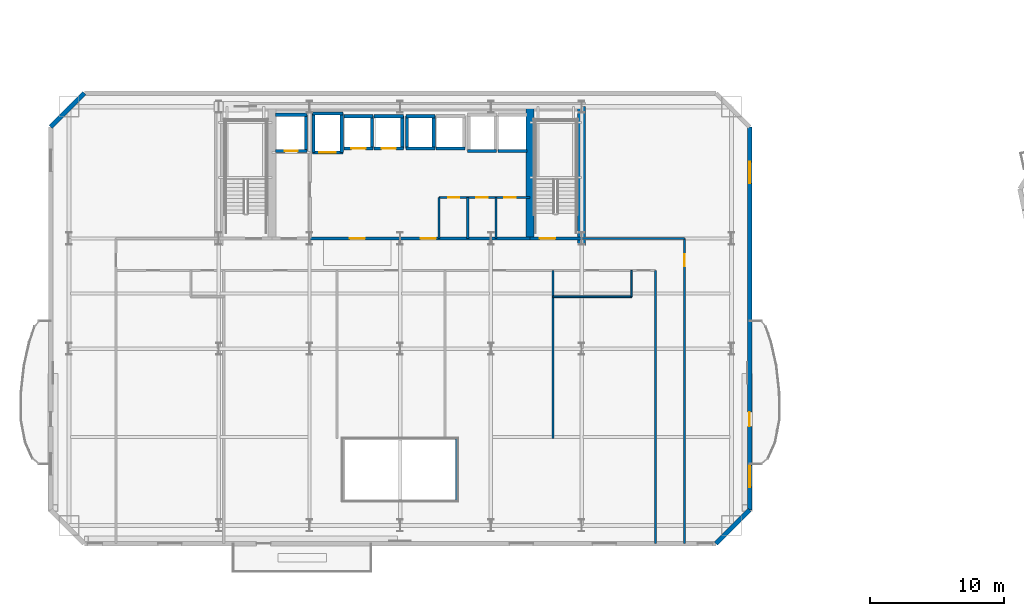
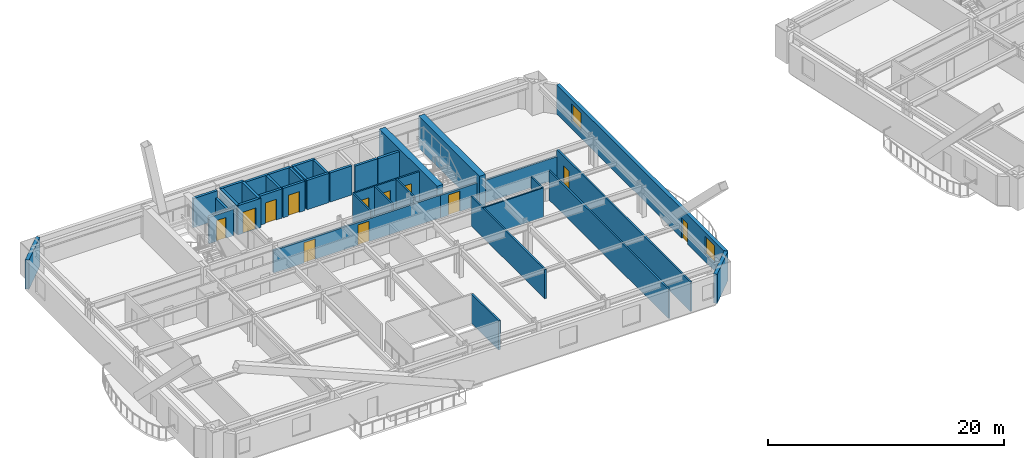
# One storey, part 6 of 18: 38 walls, 12 doors, 2 windows, 14 openings.
"""IFC4 building model written with IfcOpenShell, lengths in metres."""

from ifc_helpers import new_model, si_unit, direction, frame, frame_2d, origin, place, context, subcontext, project, spatial, rectangle, extrude, material, layer, layer_set, type_object, element, fill, save


model = new_model("IFC4")

# Units and contexts
model_context = context("Model", 3, precision=1e-05, world=origin(), true_north=direction((0.0, 1.0)))
body_context = subcontext(model_context, "Body", "Model", "MODEL_VIEW")
ifc_project = project(units=[si_unit("LENGTHUNIT", "METRE"), si_unit("AREAUNIT", "SQUARE_METRE"), si_unit("VOLUMEUNIT", "CUBIC_METRE"), si_unit("PLANEANGLEUNIT", "RADIAN"), si_unit("MASSUNIT", "GRAM", prefix="KILO")], contexts=[model_context])

# Site, building, storey
site_placement = place(None, origin())
site = spatial("IfcSite", under=ifc_project, at=site_placement, CompositionType="ELEMENT")
building_placement = place(site_placement, origin())
building = spatial("IfcBuilding", under=site, at=building_placement, Name="Haevon Station Towers", CompositionType="ELEMENT")
storey_placement = place(building_placement, frame((0.0, 0.0, 60.300048828125)))
storey = spatial("IfcBuildingStorey", under=building, at=storey_placement, Name="L15", CompositionType="ELEMENT", Elevation=60.300048828125)

# Walls
ifc_material_1 = material(Name="Gypsum board on steel stud", Category="steel")
ifc_layer_1 = layer(ifc_material_1, 0.179931640625)
ifc_layer_set_1 = layer_set([ifc_layer_1], Name="Gypsum board on steel stud")
wall_type_1 = type_object("IfcWallType", Name="WL-ACU180", PredefinedType="PARTITIONING", material=ifc_layer_set_1)
wall_1_placement = place(storey_placement, frame((51.0, 38.199951171875, 0.0), z_axis=(0.0, 0.0, 1.0), x_axis=(1.0, 0.0, 0.0)))
element("IfcWall", 1, at=wall_1_placement, inside=storey, type_object=wall_type_1, Name="WL-T1PT-L15-03", PredefinedType="PARTITIONING", context=body_context, shape_type="SweptSolid", body=[
    extrude(rectangle(XDim=7.64990234375, YDim=0.179931640625, at=frame_2d((3.824951171875, 0.0))), origin(), (0.0, 0.0, 1.0), 2.329833984375),
])
wall_2_placement = place(storey_placement, frame((41.699951171875, 18.699951171875, 0.0), z_axis=(0.0, 0.0, 1.0), x_axis=(0.0, 1.0, 0.0)))
element("IfcWall", 2, at=wall_2_placement, inside=storey, type_object=wall_type_1, Name="WL-T1PT-L15-09", PredefinedType="PARTITIONING", context=body_context, shape_type="SweptSolid", body=[
    extrude(rectangle(XDim=4.60009765625, YDim=0.179931640625, at=frame_2d((2.300048828125, 0.0))), origin(), (0.0, 0.0, 1.0), 3.030029296875),
])

# Wall, opening, door
ifc_layer_2 = layer(ifc_material_1, 0.199951171875)
ifc_layer_set_2 = layer_set([ifc_layer_2], Name="Gypsum board on steel stud")
wall_type_2 = type_object("IfcWallType", Name="WL-COR200", PredefinedType="PARTITIONING", material=ifc_layer_set_2)
wall_3_placement = place(storey_placement, frame((47.14990234375, 38.199951171875, 0.0), z_axis=(0.0, 0.0, 1.0), x_axis=(1.0, 0.0, 0.0)))
wall_3 = element("IfcWall", 3, at=wall_3_placement, inside=storey, type_object=wall_type_2, Name="WL-ST-ST2-L15", PredefinedType="PARTITIONING", context=body_context, shape_type="SweptSolid", body=[
    extrude(rectangle(XDim=3.85009765625, YDim=0.199951171875, at=frame_2d((1.925048828125, 0.0))), origin(), (0.0, 0.0, 1.0), 2.329833984375),
])
opening_1_placement = place(wall_3_placement, frame((0.75, 0.0, 0.0)))
opening_1 = element("IfcOpeningElement", 4, at=opening_1_placement, cuts=wall_3, Name="Opening DR-ST-ST2-L15", PredefinedType="OPENING", context=body_context, shape_type="SweptSolid", body=[
    extrude(rectangle(XDim=1.1201171875, YDim=2.10009765625, at=frame_2d((0.56005859375, 1.050048828125))), frame((0.0, 0.10986328125, 0.0), z_axis=(0.0, -1.0, 0.0), x_axis=(1.0, 0.0, 0.0)), (0.0, 0.0, 1.0), 0.219970703125),
])
ifc_material_2 = material(Name="Engineered oak timber", Category="wood")
door_type_1 = type_object("IfcDoorType", Name="DR-ST-1120", OperationType="NOTDEFINED", PredefinedType="DOOR", material=ifc_material_2)
door_1_placement = place(opening_1_placement, origin())
door_1 = element("IfcDoor", 5, at=door_1_placement, inside=storey, type_object=door_type_1, Name="L15 Escape Stair ST2 Fire Door", OperationType="SINGLE_SWING_LEFT", OverallHeight=2.10009765625, OverallWidth=1.1201171875, PredefinedType="DOOR", context=body_context, shape_type="SweptSolid", body=[
    extrude(rectangle(XDim=1.1201171875, YDim=2.10009765625, at=frame_2d((0.56005859375, 1.050048828125))), frame((0.0, 0.02490234375, 0.0), z_axis=(0.0, -1.0, 0.0), x_axis=(1.0, 0.0, 0.0)), (0.0, 0.0, 1.0), 0.050048828125),
])
fill(opening_1, door_1)

# Wall, openings, doors
wall_4_placement = place(storey_placement, frame((30.800048828125, 38.199951171875, 0.0), z_axis=(0.0, 0.0, 1.0), x_axis=(1.0, 0.0, 0.0)))
wall_4 = element("IfcWall", 6, at=wall_4_placement, inside=storey, type_object=wall_type_2, Name="WL-T1CLB-L15", PredefinedType="PARTITIONING", context=body_context, shape_type="SweptSolid", body=[
    extrude(rectangle(XDim=16.349853515625, YDim=0.199951171875, at=frame_2d((8.1748046875, 0.0))), origin(), (0.0, 0.0, 1.0), 2.329833984375),
])
opening_2_placement = place(wall_4_placement, frame((2.949951171875, 0.0, 0.0)))
opening_2 = element("IfcOpeningElement", 7, at=opening_2_placement, cuts=wall_4, Name="Opening DR-T1CLB-L15-1", PredefinedType="OPENING", context=body_context, shape_type="SweptSolid", body=[
    extrude(rectangle(XDim=1.1201171875, YDim=2.10009765625, at=frame_2d((0.56005859375, 1.050048828125))), frame((0.0, 0.10986328125, 0.0), z_axis=(0.0, -1.0, 0.0), x_axis=(1.0, 0.0, 0.0)), (0.0, 0.0, 1.0), 0.219970703125),
])
opening_3_placement = place(wall_4_placement, frame((8.22998046875, 0.0, 0.0)))
opening_3 = element("IfcOpeningElement", 8, at=opening_3_placement, cuts=wall_4, Name="Opening DR-T1CLB-L15-2", PredefinedType="OPENING", context=body_context, shape_type="SweptSolid", body=[
    extrude(rectangle(XDim=1.1201171875, YDim=2.10009765625, at=frame_2d((0.56005859375, 1.050048828125))), frame((0.0, 0.10986328125, 0.0), z_axis=(0.0, -1.0, 0.0), x_axis=(1.0, 0.0, 0.0)), (0.0, 0.0, 1.0), 0.219970703125),
])
door_2_placement = place(opening_2_placement, origin())
door_2 = element("IfcDoor", 9, at=door_2_placement, inside=storey, type_object=door_type_1, Name="L15 Tower 1 Core Lift Lobby Door 1", OperationType="SINGLE_SWING_RIGHT", OverallHeight=2.10009765625, OverallWidth=1.1201171875, PredefinedType="DOOR", context=body_context, shape_type="SweptSolid", body=[
    extrude(rectangle(XDim=1.1201171875, YDim=2.10009765625, at=frame_2d((0.56005859375, 1.050048828125))), frame((0.0, 0.02490234375, 0.0), z_axis=(0.0, -1.0, 0.0), x_axis=(1.0, 0.0, 0.0)), (0.0, 0.0, 1.0), 0.050048828125),
])
fill(opening_2, door_2)
door_3_placement = place(opening_3_placement, origin())
door_3 = element("IfcDoor", 10, at=door_3_placement, inside=storey, type_object=door_type_1, Name="L15 Tower 1 Core Lift Lobby Door 2", OperationType="SINGLE_SWING_LEFT", OverallHeight=2.10009765625, OverallWidth=1.1201171875, PredefinedType="DOOR", context=body_context, shape_type="SweptSolid", body=[
    extrude(rectangle(XDim=1.1201171875, YDim=2.10009765625, at=frame_2d((0.56005859375, 1.050048828125))), frame((0.0, 0.02490234375, 0.0), z_axis=(0.0, -1.0, 0.0), x_axis=(1.0, 0.0, 0.0)), (0.0, 0.0, 1.0), 0.050048828125),
])
fill(opening_3, door_3)

# Walls
ifc_material_3 = material(Name="Concrete C60/75", Category="concrete")
ifc_layer_3 = layer(ifc_material_3, 0.60009765625)
ifc_layer_set_3 = layer_set([ifc_layer_3], Name="Concrete C60/75")
wall_type_3 = type_object("IfcWallType", Name="WL-CR600", PredefinedType="SHEAR", material=ifc_layer_set_3)
wall_5_placement = place(storey_placement, frame((51.0, 37.679931640625, 0.0), z_axis=(0.0, 0.0, 1.0), x_axis=(0.0, 1.0, 0.0)))
element("IfcWall", 11, at=wall_5_placement, inside=storey, type_object=wall_type_3, Name="WL-T1CR-L15-E", PredefinedType="SHEAR", context=body_context, shape_type="SweptSolid", body=[
    extrude(rectangle(XDim=10.320068359375, YDim=0.60009765625, at=frame_2d((5.16015625, 0.0))), origin(), (0.0, 0.0, 1.0), 3.300048828125),
])
wall_6_placement = place(storey_placement, frame((47.14990234375, 38.199951171875, 0.0), z_axis=(0.0, 0.0, 1.0), x_axis=(0.0, 1.0, 0.0)))
element("IfcWall", 12, at=wall_6_placement, inside=storey, type_object=wall_type_3, Name="WL-T1CR-L15-M2", PredefinedType="SHEAR", context=body_context, shape_type="SweptSolid", body=[
    extrude(rectangle(XDim=9.800048828125, YDim=0.60009765625, at=frame_2d((4.89990234375, 0.0))), origin(), (0.0, 0.0, 1.0), 3.300048828125),
])
ifc_material_4 = material(Name="Precast concrete C45/55", Category="concrete")
ifc_layer_4 = layer(ifc_material_4, 0.340087890625)
ifc_layer_set_4 = layer_set([ifc_layer_4], Name="Precast concrete C45/55")
wall_type_4 = type_object("IfcWallType", Name="WL-EXT-PIER340", PredefinedType="SOLIDWALL", material=ifc_layer_set_4)
wall_7_placement = place(storey_placement, frame((11.5, 46.5, 0.0), z_axis=(0.0, 0.0, 1.0), x_axis=(0.707106781187, 0.707106781187, 0.0)))
element("IfcWall", 13, at=wall_7_placement, inside=storey, type_object=wall_type_4, Name="WL-T1-L15-NWC", PredefinedType="SOLIDWALL", context=body_context, shape_type="SweptSolid", body=[
    extrude(rectangle(XDim=3.53564453125, YDim=0.340087890625, at=frame_2d((1.767822265625, 0.0))), origin(), (0.0, 0.0, 1.0), 3.030029296875),
])

# Wall, openings, door, windows
wall_8_placement = place(storey_placement, frame((63.5, 46.5, 0.0), z_axis=(0.0, 0.0, 1.0), x_axis=(0.0, -1.0, 0.0)))
wall_8 = element("IfcWall", 14, at=wall_8_placement, inside=storey, type_object=wall_type_4, Name="WL-T1-L15-E", PredefinedType="SOLIDWALL", context=body_context, shape_type="SweptSolid", body=[
    extrude(rectangle(XDim=28.5, YDim=0.340087890625, at=frame_2d((14.25, 0.0))), origin(), (0.0, 0.0, 1.0), 3.030029296875),
])
opening_4_placement = place(wall_8_placement, frame((21.22509765625, 0.0, 0.0)))
opening_4 = element("IfcOpeningElement", 15, at=opening_4_placement, cuts=wall_8, Name="Opening DR-T1-SCAL-L15-E", PredefinedType="OPENING", context=body_context, shape_type="SweptSolid", body=[
    extrude(rectangle(XDim=1.050048828125, YDim=2.10009765625, at=frame_2d((0.52490234375, 1.050048828125))), frame((0.0, 0.179931640625, 0.0), z_axis=(0.0, -1.0, 0.0), x_axis=(1.0, 0.0, 0.0)), (0.0, 0.0, 1.0), 0.360107421875),
])
opening_5_placement = place(wall_8_placement, frame((2.607177734375, 0.0, 0.800048828125)))
opening_5 = element("IfcOpeningElement", 16, at=opening_5_placement, cuts=wall_8, Name="Opening WN-END160", PredefinedType="OPENING", context=body_context, shape_type="SweptSolid", body=[
    extrude(rectangle(XDim=1.60009765625, YDim=1.800048828125, at=frame_2d((0.800048828125, 0.89990234375))), frame((0.0, 0.179931640625, 0.0), z_axis=(0.0, -1.0, 0.0), x_axis=(1.0, 0.0, 0.0)), (0.0, 0.0, 1.0), 0.360107421875),
])
opening_6_placement = place(wall_8_placement, frame((25.1962890625, 0.0, 0.800048828125)))
opening_6 = element("IfcOpeningElement", 17, at=opening_6_placement, cuts=wall_8, Name="Opening WN-END160", PredefinedType="OPENING", context=body_context, shape_type="SweptSolid", body=[
    extrude(rectangle(XDim=1.60009765625, YDim=1.800048828125, at=frame_2d((0.800048828125, 0.89990234375))), frame((0.0, 0.179931640625, 0.0), z_axis=(0.0, -1.0, 0.0), x_axis=(1.0, 0.0, 0.0)), (0.0, 0.0, 1.0), 0.360107421875),
])
ifc_material_5 = material(Name="Thermally broken anodised aluminium and laminated safety glass", Category="aluminium")
door_type_2 = type_object("IfcDoorType", Name="DR-BALC-1050", OperationType="NOTDEFINED", PredefinedType="DOOR", material=ifc_material_5)
door_4_placement = place(opening_4_placement, origin())
door_4 = element("IfcDoor", 18, at=door_4_placement, inside=storey, type_object=door_type_2, Name="Tower 1 L15 East Scalloped Balcony Door", OperationType="SINGLE_SWING_RIGHT", OverallHeight=2.10009765625, OverallWidth=1.050048828125, PredefinedType="DOOR", context=body_context, shape_type="SweptSolid", body=[
    extrude(rectangle(XDim=1.050048828125, YDim=2.10009765625, at=frame_2d((0.52490234375, 1.050048828125))), frame((0.0, 0.02490234375, 0.0), z_axis=(0.0, -1.0, 0.0), x_axis=(1.0, 0.0, 0.0)), (0.0, 0.0, 1.0), 0.050048828125),
])
fill(opening_4, door_4)
ifc_material_6 = material(Name="Low-E triple glazing in thermally broken aluminium", Category="aluminium")
window_type = type_object("IfcWindowType", Name="WN-END160", PartitioningType="SINGLE_PANEL", PredefinedType="WINDOW", material=ifc_material_6)
window_1_placement = place(opening_5_placement, origin())
window_1 = element("IfcWindow", 19, at=window_1_placement, inside=storey, type_object=window_type, Name="WN-T1-L15-E01", OverallHeight=1.800048828125, OverallWidth=1.60009765625, PartitioningType="SINGLE_PANEL", PredefinedType="WINDOW", context=body_context, shape_type="SweptSolid", body=[
    extrude(rectangle(XDim=1.60009765625, YDim=1.800048828125, at=frame_2d((0.800048828125, 0.89990234375))), frame((0.0, 0.030029296875, 0.0), z_axis=(0.0, -1.0, 0.0), x_axis=(1.0, 0.0, 0.0)), (0.0, 0.0, 1.0), 0.06005859375),
])
fill(opening_5, window_1)
window_2_placement = place(opening_6_placement, origin())
window_2 = element("IfcWindow", 20, at=window_2_placement, inside=storey, type_object=window_type, Name="WN-T1-L15-E02", OverallHeight=1.800048828125, OverallWidth=1.60009765625, PartitioningType="SINGLE_PANEL", PredefinedType="WINDOW", context=body_context, shape_type="SweptSolid", body=[
    extrude(rectangle(XDim=1.60009765625, YDim=1.800048828125, at=frame_2d((0.800048828125, 0.89990234375))), frame((0.0, 0.030029296875, 0.0), z_axis=(0.0, -1.0, 0.0), x_axis=(1.0, 0.0, 0.0)), (0.0, 0.0, 1.0), 0.06005859375),
])
fill(opening_6, window_2)

# Walls
wall_9_placement = place(storey_placement, frame((63.5, 18.0, 0.0), z_axis=(0.0, 0.0, 1.0), x_axis=(-0.707106781187, -0.707106781187, 0.0)))
element("IfcWall", 21, at=wall_9_placement, inside=storey, type_object=wall_type_4, Name="WL-T1-L15-SEC", PredefinedType="SOLIDWALL", context=body_context, shape_type="SweptSolid", body=[
    extrude(rectangle(XDim=3.53564453125, YDim=0.340087890625, at=frame_2d((1.767822265625, 0.0))), origin(), (0.0, 0.0, 1.0), 3.030029296875),
])
ifc_layer_5 = layer(ifc_material_1, 0.125)
ifc_layer_set_5 = layer_set([ifc_layer_5], Name="Gypsum board on steel stud")
wall_type_5 = type_object("IfcWallType", Name="WL-PRT125", PredefinedType="PARTITIONING", material=ifc_layer_set_5)
wall_10_placement = place(storey_placement, frame((48.87158203125, 33.8701171875, 0.0), z_axis=(0.0, 0.0, 1.0), x_axis=(1.0, 0.0, 0.0)))
element("IfcWall", 22, at=wall_10_placement, inside=storey, type_object=wall_type_5, Name="WL-T1PT-L15-18", PredefinedType="PARTITIONING", context=body_context, shape_type="SweptSolid", body=[
    extrude(rectangle(XDim=5.848388671875, YDim=0.125, at=frame_2d((2.92431640625, 0.0))), origin(), (0.0, 0.0, 1.0), 3.030029296875),
])
wall_11_placement = place(storey_placement, frame((54.719970703125, 33.8701171875, 0.0), z_axis=(0.0, 0.0, 1.0), x_axis=(0.0, 1.0, 0.0)))
element("IfcWall", 23, at=wall_11_placement, inside=storey, type_object=wall_type_5, Name="WL-T1PT-L15-19", PredefinedType="PARTITIONING", context=body_context, shape_type="SweptSolid", body=[
    extrude(rectangle(XDim=1.949951171875, YDim=0.125, at=frame_2d((0.97509765625, 0.0))), origin(), (0.0, 0.0, 1.0), 3.030029296875),
])
ifc_layer_6 = layer(ifc_material_1, 0.159912109375)
ifc_layer_set_6 = layer_set([ifc_layer_6], Name="Gypsum board on steel stud")
wall_type_6 = type_object("IfcWallType", Name="WL-PRT160", PredefinedType="PARTITIONING", material=ifc_layer_set_6)
for number, where, z_axis, x_axis, name in (
    (24, (40.39990234375, 38.199951171875, 0.0), (0.0, 0.0, 1.0), (0.0, 1.0, 0.0), "WL-T1CW-L15-01"),
    (25, (42.530029296875, 38.199951171875, 0.0), (0.0, 0.0, 1.0), (0.0, 1.0, 0.0), "WL-T1CW-L15-02"),
    (26, (44.6298828125, 38.199951171875, 0.0), (0.0, 0.0, 1.0), (0.0, 1.0, 0.0), "WL-T1CW-L15-03"),
):
    element("IfcWall", number, at=place(storey_placement, frame(where, z_axis=z_axis, x_axis=x_axis)), inside=storey, type_object=wall_type_6, Name=name, PredefinedType="PARTITIONING", context=body_context, shape_type="SweptSolid", body=[
        extrude(rectangle(XDim=3.050048828125, YDim=0.159912109375, at=frame_2d((1.52490234375, 0.0))), origin(), (0.0, 0.0, 1.0), 3.030029296875),
    ])

# Wall, openings, doors
wall_12_placement = place(storey_placement, frame((40.39990234375, 41.25, 0.0), z_axis=(0.0, 0.0, 1.0), x_axis=(1.0, 0.0, 0.0)))
wall_12 = element("IfcWall", 27, at=wall_12_placement, inside=storey, type_object=wall_type_6, Name="WL-T1CW-L15-04", PredefinedType="PARTITIONING", context=body_context, shape_type="SweptSolid", body=[
    extrude(rectangle(XDim=6.75, YDim=0.159912109375, at=frame_2d((3.375, 0.0))), origin(), (0.0, 0.0, 1.0), 3.030029296875),
])
opening_7_placement = place(wall_12_placement, frame((0.659912109375, 0.0, 0.0)))
opening_7 = element("IfcOpeningElement", 28, at=opening_7_placement, cuts=wall_12, Name="Opening DR-WL-T1CW-L15-04-1", PredefinedType="OPENING", context=body_context, shape_type="SweptSolid", body=[
    extrude(rectangle(XDim=0.85009765625, YDim=2.050048828125, at=frame_2d((0.425048828125, 1.02490234375))), frame((0.0, 0.08984375, 0.0), z_axis=(0.0, -1.0, 0.0), x_axis=(1.0, 0.0, 0.0)), (0.0, 0.0, 1.0), 0.179931640625),
])
opening_8_placement = place(wall_12_placement, frame((2.7548828125, 0.0, 0.0)))
opening_8 = element("IfcOpeningElement", 29, at=opening_8_placement, cuts=wall_12, Name="Opening DR-WL-T1CW-L15-04-2", PredefinedType="OPENING", context=body_context, shape_type="SweptSolid", body=[
    extrude(rectangle(XDim=0.85009765625, YDim=2.050048828125, at=frame_2d((0.425048828125, 1.02490234375))), frame((0.0, 0.08984375, 0.0), z_axis=(0.0, -1.0, 0.0), x_axis=(1.0, 0.0, 0.0)), (0.0, 0.0, 1.0), 0.179931640625),
])
opening_9_placement = place(wall_12_placement, frame((4.830078125, 0.0, 0.0)))
opening_9 = element("IfcOpeningElement", 30, at=opening_9_placement, cuts=wall_12, Name="Opening DR-WL-T1CW-L15-04-3", PredefinedType="OPENING", context=body_context, shape_type="SweptSolid", body=[
    extrude(rectangle(XDim=0.85009765625, YDim=2.050048828125, at=frame_2d((0.425048828125, 1.02490234375))), frame((0.0, 0.08984375, 0.0), z_axis=(0.0, -1.0, 0.0), x_axis=(1.0, 0.0, 0.0)), (0.0, 0.0, 1.0), 0.179931640625),
])
door_type_3 = type_object("IfcDoorType", Name="DR-FD30-850", OperationType="NOTDEFINED", PredefinedType="DOOR", material=ifc_material_2)
door_5_placement = place(opening_7_placement, origin())
door_5 = element("IfcDoor", 31, at=door_5_placement, inside=storey, type_object=door_type_3, Name="L15 Tower 1 Core Room Door 4-1", OperationType="SINGLE_SWING_LEFT", OverallHeight=2.050048828125, OverallWidth=0.85009765625, PredefinedType="DOOR", context=body_context, shape_type="SweptSolid", body=[
    extrude(rectangle(XDim=0.85009765625, YDim=2.050048828125, at=frame_2d((0.425048828125, 1.02490234375))), frame((0.0, 0.02490234375, 0.0), z_axis=(0.0, -1.0, 0.0), x_axis=(1.0, 0.0, 0.0)), (0.0, 0.0, 1.0), 0.050048828125),
])
fill(opening_7, door_5)
door_6_placement = place(opening_8_placement, origin())
door_6 = element("IfcDoor", 32, at=door_6_placement, inside=storey, type_object=door_type_3, Name="L15 Tower 1 Core Room Door 4-2", OperationType="SINGLE_SWING_RIGHT", OverallHeight=2.050048828125, OverallWidth=0.85009765625, PredefinedType="DOOR", context=body_context, shape_type="SweptSolid", body=[
    extrude(rectangle(XDim=0.85009765625, YDim=2.050048828125, at=frame_2d((0.425048828125, 1.02490234375))), frame((0.0, 0.02490234375, 0.0), z_axis=(0.0, -1.0, 0.0), x_axis=(1.0, 0.0, 0.0)), (0.0, 0.0, 1.0), 0.050048828125),
])
fill(opening_8, door_6)
door_7_placement = place(opening_9_placement, origin())
door_7 = element("IfcDoor", 33, at=door_7_placement, inside=storey, type_object=door_type_3, Name="L15 Tower 1 Core Room Door 4-3", OperationType="SINGLE_SWING_LEFT", OverallHeight=2.050048828125, OverallWidth=0.85009765625, PredefinedType="DOOR", context=body_context, shape_type="SweptSolid", body=[
    extrude(rectangle(XDim=0.85009765625, YDim=2.050048828125, at=frame_2d((0.425048828125, 1.02490234375))), frame((0.0, 0.02490234375, 0.0), z_axis=(0.0, -1.0, 0.0), x_axis=(1.0, 0.0, 0.0)), (0.0, 0.0, 1.0), 0.050048828125),
])
fill(opening_9, door_7)

# Wall
wall_13_placement = place(storey_placement, frame((56.5, 15.5, 0.0), z_axis=(0.0, 0.0, 1.0), x_axis=(0.0, 1.0, 0.0)))
element("IfcWall", 34, at=wall_13_placement, inside=storey, type_object=wall_type_6, Name="WL-T1PT-L15-01", PredefinedType="PARTITIONING", context=body_context, shape_type="SweptSolid", body=[
    extrude(rectangle(XDim=20.320068359375, YDim=0.159912109375, at=frame_2d((10.16015625, 0.0))), origin(), (0.0, 0.0, 1.0), 3.030029296875),
])

# Wall, opening, door
wall_14_placement = place(storey_placement, frame((58.64990234375, 15.5, 0.0), z_axis=(0.0, 0.0, 1.0), x_axis=(0.0, 1.0, 0.0)))
wall_14 = element("IfcWall", 35, at=wall_14_placement, inside=storey, type_object=wall_type_6, Name="WL-T1PT-L15-05", PredefinedType="PARTITIONING", context=body_context, shape_type="SweptSolid", body=[
    extrude(rectangle(XDim=22.699951171875, YDim=0.159912109375, at=frame_2d((11.35009765625, 0.0))), origin(), (0.0, 0.0, 1.0), 3.030029296875),
])
opening_10_placement = place(wall_14_placement, frame((20.639892578125, 0.0, 0.0)))
opening_10 = element("IfcOpeningElement", 36, at=opening_10_placement, cuts=wall_14, Name="Opening DR-WL-T1PT-L15-05-01", PredefinedType="OPENING", context=body_context, shape_type="SweptSolid", body=[
    extrude(rectangle(XDim=0.89990234375, YDim=2.050048828125, at=frame_2d((0.449951171875, 1.02490234375))), frame((0.0, 0.08984375, 0.0), z_axis=(0.0, -1.0, 0.0), x_axis=(1.0, 0.0, 0.0)), (0.0, 0.0, 1.0), 0.179931640625),
])
door_type_4 = type_object("IfcDoorType", Name="DR-INT-900", OperationType="NOTDEFINED", PredefinedType="DOOR", material=ifc_material_2)
door_8_placement = place(opening_10_placement, origin())
door_8 = element("IfcDoor", 37, at=door_8_placement, inside=storey, type_object=door_type_4, Name="L15 Tower 1 Room Door 5-1", OperationType="SINGLE_SWING_LEFT", OverallHeight=2.050048828125, OverallWidth=0.89990234375, PredefinedType="DOOR", context=body_context, shape_type="SweptSolid", body=[
    extrude(rectangle(XDim=0.89990234375, YDim=2.050048828125, at=frame_2d((0.449951171875, 1.02490234375))), frame((0.0, 0.02490234375, 0.0), z_axis=(0.0, -1.0, 0.0), x_axis=(1.0, 0.0, 0.0)), (0.0, 0.0, 1.0), 0.050048828125),
])
fill(opening_10, door_8)

# Wall
wall_15_placement = place(storey_placement, frame((48.87158203125, 23.300048828125, 0.0), z_axis=(0.0, 0.0, 1.0), x_axis=(0.0, 1.0, 0.0)))
element("IfcWall", 38, at=wall_15_placement, inside=storey, type_object=wall_type_6, Name="WL-T1PT-L15-16", PredefinedType="PARTITIONING", context=body_context, shape_type="SweptSolid", body=[
    extrude(rectangle(XDim=12.52001953125, YDim=0.159912109375, at=frame_2d((6.260009765625, 0.0))), origin(), (0.0, 0.0, 1.0), 3.030029296875),
])

# Wall, opening, door
ifc_material_7 = material(Name="Concrete C40/50", Category="concrete")
ifc_layer_7 = layer(ifc_material_7, 0.239990234375)
ifc_layer_set_7 = layer_set([ifc_layer_7], Name="Concrete C40/50")
wall_type_7 = type_object("IfcWallType", Name="WL-SHF240", PredefinedType="PARTITIONING", material=ifc_layer_set_7)
wall_16_placement = place(storey_placement, frame((28.219970703125, 44.699951171875, 0.0), z_axis=(0.0, 0.0, 1.0), x_axis=(1.0, 0.0, 0.0)))
wall_16 = element("IfcWall", 39, at=wall_16_placement, inside=storey, type_object=wall_type_7, Name="WL-SHF-FL1-L15", PredefinedType="PARTITIONING", context=body_context, shape_type="SweptSolid", body=[
    extrude(rectangle(XDim=2.360107421875, YDim=0.239990234375, at=frame_2d((1.18017578125, 0.0))), origin(), (0.0, 0.0, 1.0), 2.72998046875),
])
opening_11_placement = place(wall_16_placement, frame((0.705078125, 0.0, 0.0)))
opening_11 = element("IfcOpeningElement", 40, at=opening_11_placement, cuts=wall_16, Name="Opening LD-FL1-L15", PredefinedType="OPENING", context=body_context, shape_type="SweptSolid", body=[
    extrude(rectangle(XDim=0.949951171875, YDim=2.14990234375, at=frame_2d((0.47509765625, 1.074951171875))), frame((0.0, 0.1298828125, 0.0), z_axis=(0.0, -1.0, 0.0), x_axis=(1.0, 0.0, 0.0)), (0.0, 0.0, 1.0), 0.260009765625),
])
ifc_material_8 = material(Name="Stainless steel and rated core", Category="steel")
door_type_5 = type_object("IfcDoorType", Name="LD-FL950", OperationType="SLIDING_TO_LEFT", PredefinedType="DOOR", material=ifc_material_8)
door_9_placement = place(opening_11_placement, origin())
door_9 = element("IfcDoor", 41, at=door_9_placement, inside=storey, type_object=door_type_5, Name="L15 Lift FL1 Sliding Landing Door", OperationType="SLIDING_TO_LEFT", OverallHeight=2.14990234375, OverallWidth=0.949951171875, PredefinedType="DOOR", context=body_context, shape_type="SweptSolid", body=[
    extrude(rectangle(XDim=0.949951171875, YDim=2.14990234375, at=frame_2d((0.47509765625, 1.074951171875))), frame((0.0, 0.02490234375, 0.0), z_axis=(0.0, -1.0, 0.0), x_axis=(1.0, 0.0, 0.0)), (0.0, 0.0, 1.0), 0.050048828125),
])
fill(opening_11, door_9)

# Walls
wall_17_placement = place(storey_placement, frame((28.219970703125, 47.39990234375, 0.0), z_axis=(0.0, 0.0, 1.0), x_axis=(1.0, 0.0, 0.0)))
element("IfcWall", 42, at=wall_17_placement, inside=storey, type_object=wall_type_7, Name="WL-SHF-FL1-L15-N", PredefinedType="PARTITIONING", context=body_context, shape_type="SweptSolid", body=[
    extrude(rectangle(XDim=2.360107421875, YDim=0.239990234375, at=frame_2d((1.18017578125, 0.0))), origin(), (0.0, 0.0, 1.0), 3.030029296875),
])
wall_18_placement = place(storey_placement, frame((30.5, 44.699951171875, 0.0), z_axis=(0.0, 0.0, 1.0), x_axis=(0.0, 1.0, 0.0)))
element("IfcWall", 43, at=wall_18_placement, inside=storey, type_object=wall_type_7, Name="WL-SHF-FL1-L15-E", PredefinedType="PARTITIONING", context=body_context, shape_type="SweptSolid", body=[
    extrude(rectangle(XDim=2.699951171875, YDim=0.239990234375, at=frame_2d((1.35009765625, 0.0))), origin(), (0.0, 0.0, 1.0), 2.329833984375),
])

# Wall, opening, door
wall_19_placement = place(storey_placement, frame((30.969970703125, 44.60009765625, 0.0), z_axis=(0.0, 0.0, 1.0), x_axis=(1.0, 0.0, 0.0)))
wall_19 = element("IfcWall", 44, at=wall_19_placement, inside=storey, type_object=wall_type_7, Name="WL-SHF-SL1-L15", PredefinedType="PARTITIONING", context=body_context, shape_type="SweptSolid", body=[
    extrude(rectangle(XDim=2.260009765625, YDim=0.239990234375, at=frame_2d((1.1298828125, 0.0))), origin(), (0.0, 0.0, 1.0), 3.030029296875),
])
opening_12_placement = place(wall_19_placement, frame((0.5048828125, 0.0, 0.0)))
opening_12 = element("IfcOpeningElement", 45, at=opening_12_placement, cuts=wall_19, Name="Opening LD-SL1-L15", PredefinedType="OPENING", context=body_context, shape_type="SweptSolid", body=[
    extrude(rectangle(XDim=1.25, YDim=2.199951171875, at=frame_2d((0.625, 1.10009765625))), frame((0.0, 0.1298828125, 0.0), z_axis=(0.0, -1.0, 0.0), x_axis=(1.0, 0.0, 0.0)), (0.0, 0.0, 1.0), 0.260009765625),
])
door_type_6 = type_object("IfcDoorType", Name="LD-SL1250", OperationType="SLIDING_TO_LEFT", PredefinedType="DOOR", material=ifc_material_8)
door_10_placement = place(opening_12_placement, origin())
door_10 = element("IfcDoor", 46, at=door_10_placement, inside=storey, type_object=door_type_6, Name="L15 Lift SL1 Sliding Landing Door", OperationType="SLIDING_TO_LEFT", OverallHeight=2.199951171875, OverallWidth=1.25, PredefinedType="DOOR", context=body_context, shape_type="SweptSolid", body=[
    extrude(rectangle(XDim=1.25, YDim=2.199951171875, at=frame_2d((0.625, 1.10009765625))), frame((0.0, 0.02490234375, 0.0), z_axis=(0.0, -1.0, 0.0), x_axis=(1.0, 0.0, 0.0)), (0.0, 0.0, 1.0), 0.050048828125),
])
fill(opening_12, door_10)

# Walls
wall_20_placement = place(storey_placement, frame((30.969970703125, 47.5, 0.0), z_axis=(0.0, 0.0, 1.0), x_axis=(1.0, 0.0, 0.0)))
element("IfcWall", 47, at=wall_20_placement, inside=storey, type_object=wall_type_7, Name="WL-SHF-SL1-L15-N", PredefinedType="PARTITIONING", context=body_context, shape_type="SweptSolid", body=[
    extrude(rectangle(XDim=2.260009765625, YDim=0.239990234375, at=frame_2d((1.1298828125, 0.0))), origin(), (0.0, 0.0, 1.0), 3.030029296875),
])
for number, where, z_axis, x_axis, name in (
    (48, (31.050048828125, 44.60009765625, 0.0), (0.0, 0.0, 1.0), (0.0, 1.0, 0.0), "WL-SHF-SL1-L15-W"),
    (49, (33.14990234375, 44.60009765625, 0.0), (0.0, 0.0, 1.0), (0.0, 1.0, 0.0), "WL-SHF-SL1-L15-E"),
):
    element("IfcWall", number, at=place(storey_placement, frame(where, z_axis=z_axis, x_axis=x_axis)), inside=storey, type_object=wall_type_7, Name=name, PredefinedType="PARTITIONING", context=body_context, shape_type="SweptSolid", body=[
        extrude(rectangle(XDim=2.89990234375, YDim=0.239990234375, at=frame_2d((1.449951171875, 0.0))), origin(), (0.0, 0.0, 1.0), 3.030029296875),
    ])

# Wall, opening, door
wall_21_placement = place(storey_placement, frame((33.320068359375, 44.89990234375, 0.0), z_axis=(0.0, 0.0, 1.0), x_axis=(1.0, 0.0, 0.0)))
wall_21 = element("IfcWall", 50, at=wall_21_placement, inside=storey, type_object=wall_type_7, Name="WL-SHF-PL1-L15", PredefinedType="PARTITIONING", context=body_context, shape_type="SweptSolid", body=[
    extrude(rectangle(XDim=2.159912109375, YDim=0.239990234375, at=frame_2d((1.080078125, 0.0))), origin(), (0.0, 0.0, 1.0), 3.030029296875),
])
opening_13_placement = place(wall_21_placement, frame((0.554931640625, 0.0, 0.0)))
opening_13 = element("IfcOpeningElement", 51, at=opening_13_placement, cuts=wall_21, Name="Opening LD-PL1-L15", PredefinedType="OPENING", context=body_context, shape_type="SweptSolid", body=[
    extrude(rectangle(XDim=1.050048828125, YDim=2.14990234375, at=frame_2d((0.52490234375, 1.074951171875))), frame((0.0, 0.1298828125, 0.0), z_axis=(0.0, -1.0, 0.0), x_axis=(1.0, 0.0, 0.0)), (0.0, 0.0, 1.0), 0.260009765625),
])
door_type_7 = type_object("IfcDoorType", Name="LD-PL1050", OperationType="SLIDING_TO_LEFT", PredefinedType="DOOR", material=ifc_material_8)
door_11_placement = place(opening_13_placement, origin())
door_11 = element("IfcDoor", 52, at=door_11_placement, inside=storey, type_object=door_type_7, Name="L15 Lift PL1 Sliding Landing Door", OperationType="SLIDING_TO_LEFT", OverallHeight=2.14990234375, OverallWidth=1.050048828125, PredefinedType="DOOR", context=body_context, shape_type="SweptSolid", body=[
    extrude(rectangle(XDim=1.050048828125, YDim=2.14990234375, at=frame_2d((0.52490234375, 1.074951171875))), frame((0.0, 0.02490234375, 0.0), z_axis=(0.0, -1.0, 0.0), x_axis=(1.0, 0.0, 0.0)), (0.0, 0.0, 1.0), 0.050048828125),
])
fill(opening_13, door_11)

# Walls
wall_22_placement = place(storey_placement, frame((33.320068359375, 47.300048828125, 0.0), z_axis=(0.0, 0.0, 1.0), x_axis=(1.0, 0.0, 0.0)))
element("IfcWall", 53, at=wall_22_placement, inside=storey, type_object=wall_type_7, Name="WL-SHF-PL1-L15-N", PredefinedType="PARTITIONING", context=body_context, shape_type="SweptSolid", body=[
    extrude(rectangle(XDim=2.159912109375, YDim=0.239990234375, at=frame_2d((1.080078125, 0.0))), origin(), (0.0, 0.0, 1.0), 3.030029296875),
])
wall_23_placement = place(storey_placement, frame((35.39990234375, 44.89990234375, 0.0), z_axis=(0.0, 0.0, 1.0), x_axis=(0.0, 1.0, 0.0)))
element("IfcWall", 54, at=wall_23_placement, inside=storey, type_object=wall_type_7, Name="WL-SHF-PL1-L15-E", PredefinedType="PARTITIONING", context=body_context, shape_type="SweptSolid", body=[
    extrude(rectangle(XDim=2.400146484375, YDim=0.239990234375, at=frame_2d((1.2001953125, 0.0))), origin(), (0.0, 0.0, 1.0), 3.030029296875),
])

# Wall, opening, door
wall_24_placement = place(storey_placement, frame((35.570068359375, 44.89990234375, 0.0), z_axis=(0.0, 0.0, 1.0), x_axis=(1.0, 0.0, 0.0)))
wall_24 = element("IfcWall", 55, at=wall_24_placement, inside=storey, type_object=wall_type_7, Name="WL-SHF-PL2-L15", PredefinedType="PARTITIONING", context=body_context, shape_type="SweptSolid", body=[
    extrude(rectangle(XDim=2.159912109375, YDim=0.239990234375, at=frame_2d((1.080078125, 0.0))), origin(), (0.0, 0.0, 1.0), 3.030029296875),
])
opening_14_placement = place(wall_24_placement, frame((0.554931640625, 0.0, 0.0)))
opening_14 = element("IfcOpeningElement", 56, at=opening_14_placement, cuts=wall_24, Name="Opening LD-PL2-L15", PredefinedType="OPENING", context=body_context, shape_type="SweptSolid", body=[
    extrude(rectangle(XDim=1.050048828125, YDim=2.14990234375, at=frame_2d((0.52490234375, 1.074951171875))), frame((0.0, 0.1298828125, 0.0), z_axis=(0.0, -1.0, 0.0), x_axis=(1.0, 0.0, 0.0)), (0.0, 0.0, 1.0), 0.260009765625),
])
door_12_placement = place(opening_14_placement, origin())
door_12 = element("IfcDoor", 57, at=door_12_placement, inside=storey, type_object=door_type_7, Name="L15 Lift PL2 Sliding Landing Door", OperationType="SLIDING_TO_LEFT", OverallHeight=2.14990234375, OverallWidth=1.050048828125, PredefinedType="DOOR", context=body_context, shape_type="SweptSolid", body=[
    extrude(rectangle(XDim=1.050048828125, YDim=2.14990234375, at=frame_2d((0.52490234375, 1.074951171875))), frame((0.0, 0.02490234375, 0.0), z_axis=(0.0, -1.0, 0.0), x_axis=(1.0, 0.0, 0.0)), (0.0, 0.0, 1.0), 0.050048828125),
])
fill(opening_14, door_12)

# Walls
wall_25_placement = place(storey_placement, frame((35.570068359375, 47.300048828125, 0.0), z_axis=(0.0, 0.0, 1.0), x_axis=(1.0, 0.0, 0.0)))
element("IfcWall", 58, at=wall_25_placement, inside=storey, type_object=wall_type_7, Name="WL-SHF-PL2-L15-N", PredefinedType="PARTITIONING", context=body_context, shape_type="SweptSolid", body=[
    extrude(rectangle(XDim=2.159912109375, YDim=0.239990234375, at=frame_2d((1.080078125, 0.0))), origin(), (0.0, 0.0, 1.0), 3.030029296875),
])
wall_26_placement = place(storey_placement, frame((37.64990234375, 44.89990234375, 0.0), z_axis=(0.0, 0.0, 1.0), x_axis=(0.0, 1.0, 0.0)))
element("IfcWall", 59, at=wall_26_placement, inside=storey, type_object=wall_type_7, Name="WL-SHF-PL2-L15-E", PredefinedType="PARTITIONING", context=body_context, shape_type="SweptSolid", body=[
    extrude(rectangle(XDim=2.400146484375, YDim=0.239990234375, at=frame_2d((1.2001953125, 0.0))), origin(), (0.0, 0.0, 1.0), 3.030029296875),
])
for number, where, z_axis, x_axis, name in (
    (60, (37.919921875, 44.89990234375, 0.0), (0.0, 0.0, 1.0), (1.0, 0.0, 0.0), "WL-SHF-PL3-L15"),
    (61, (37.919921875, 47.300048828125, 0.0), (0.0, 0.0, 1.0), (1.0, 0.0, 0.0), "WL-SHF-PL3-L15-N"),
):
    element("IfcWall", number, at=place(storey_placement, frame(where, z_axis=z_axis, x_axis=x_axis)), inside=storey, type_object=wall_type_7, Name=name, PredefinedType="PARTITIONING", context=body_context, shape_type="SweptSolid", body=[
        extrude(rectangle(XDim=2.16015625, YDim=0.239990234375, at=frame_2d((1.080078125, 0.0))), origin(), (0.0, 0.0, 1.0), 3.030029296875),
    ])
for number, where, z_axis, x_axis, name in (
    (62, (38.0, 44.89990234375, 0.0), (0.0, 0.0, 1.0), (0.0, 1.0, 0.0), "WL-SHF-PL3-L15-W"),
    (63, (40.0, 44.89990234375, 0.0), (0.0, 0.0, 1.0), (0.0, 1.0, 0.0), "WL-SHF-PL3-L15-E"),
):
    element("IfcWall", number, at=place(storey_placement, frame(where, z_axis=z_axis, x_axis=x_axis)), inside=storey, type_object=wall_type_7, Name=name, PredefinedType="PARTITIONING", context=body_context, shape_type="SweptSolid", body=[
        extrude(rectangle(XDim=2.400146484375, YDim=0.239990234375, at=frame_2d((1.2001953125, 0.0))), origin(), (0.0, 0.0, 1.0), 3.030029296875),
    ])
wall_27_placement = place(storey_placement, frame((40.169921875, 44.89990234375, 0.0), z_axis=(0.0, 0.0, 1.0), x_axis=(1.0, 0.0, 0.0)))
element("IfcWall", 64, at=wall_27_placement, inside=storey, type_object=wall_type_7, Name="WL-SHF-PL4-L15", PredefinedType="PARTITIONING", context=body_context, shape_type="SweptSolid", body=[
    extrude(rectangle(XDim=2.16015625, YDim=0.239990234375, at=frame_2d((1.080078125, 0.0))), origin(), (0.0, 0.0, 1.0), 3.030029296875),
])
for number, where, z_axis, x_axis, name in (
    (65, (42.52001953125, 44.699951171875, 0.0), (0.0, 0.0, 1.0), (1.0, 0.0, 0.0), "WL-SHF-PL5-L15"),
    (66, (44.77001953125, 44.699951171875, 0.0), (0.0, 0.0, 1.0), (1.0, 0.0, 0.0), "WL-SHF-PL6-L15"),
):
    element("IfcWall", number, at=place(storey_placement, frame(where, z_axis=z_axis, x_axis=x_axis)), inside=storey, type_object=wall_type_7, Name=name, PredefinedType="PARTITIONING", context=body_context, shape_type="SweptSolid", body=[
        extrude(rectangle(XDim=2.159912109375, YDim=0.239990234375, at=frame_2d((1.080078125, 0.0))), origin(), (0.0, 0.0, 1.0), 3.030029296875),
    ])

save(model, "model.ifc")
